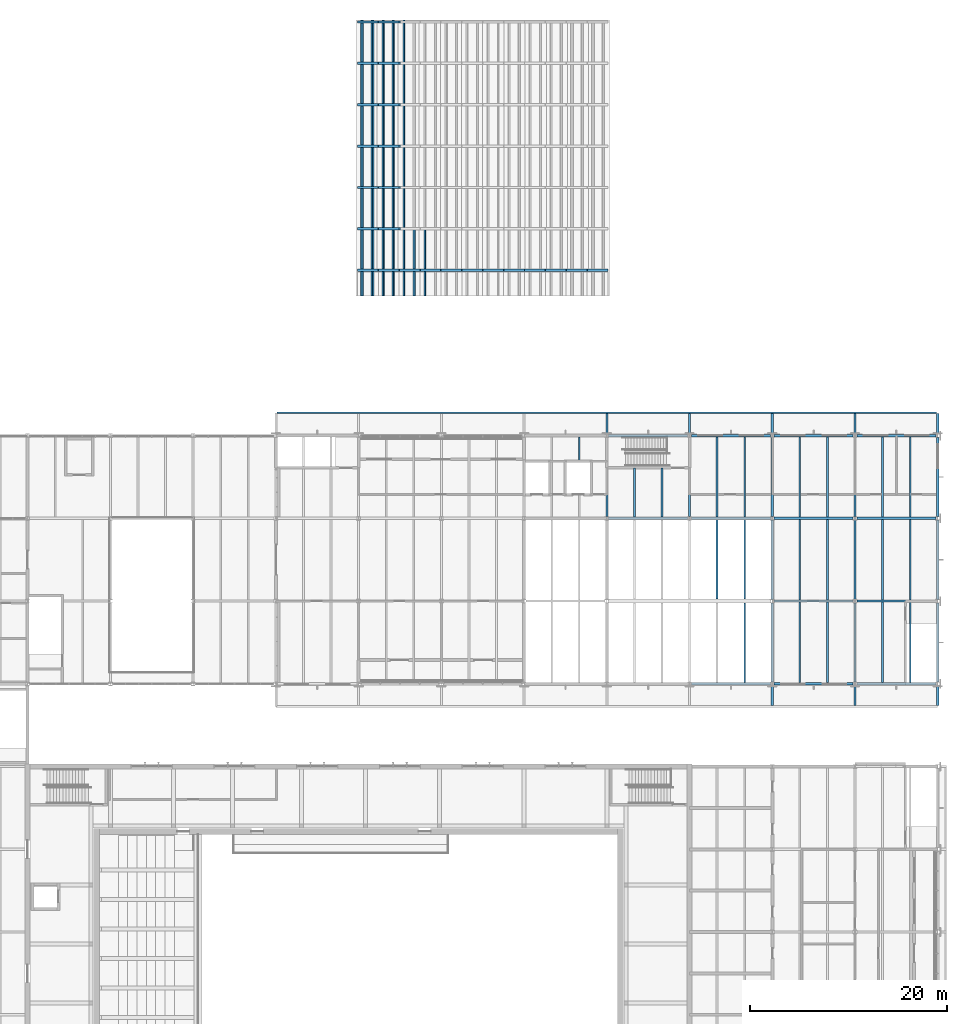
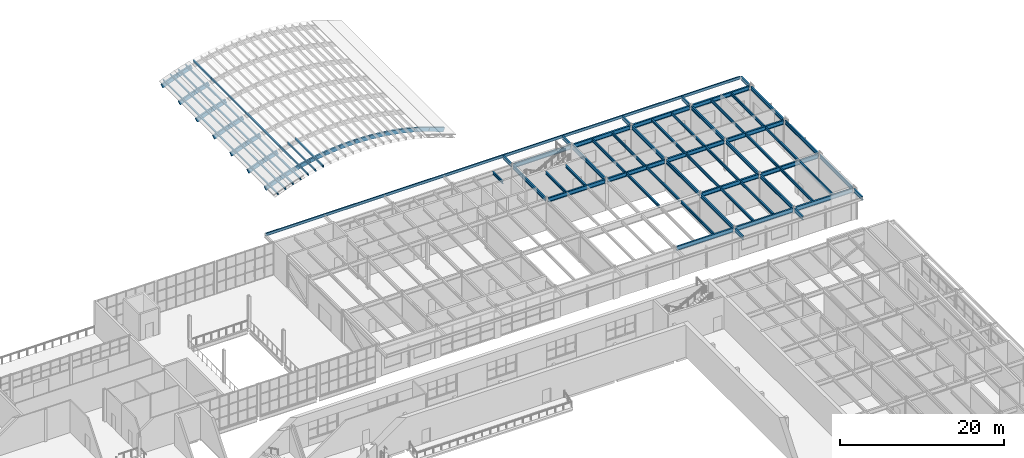
# One storey, part 53 of 116: 77 beams, 22 members.
"""IFC4 building model written with IfcOpenShell, lengths in metres."""

import ifcopenshell
import ifcopenshell.guid

model = None  # the IFC model being written
_history = None  # IfcOwnerHistory: only IFC2X3 demands one
_inside = {}  # id of a spatial element -> (the spatial element, [elements in it])
_under = {}  # id of a project, library or spatial element -> (it, [spatial elements below it])
_declared = {}  # id of a project -> (the project, [libraries it declares])
_typed = {}  # id of a type object -> (the type object, [elements of that type])
_made_of = {}  # id of a material, layer set ... -> (it, [elements and type objects made of it])


def new_model(schema):
    """Start an empty IFC model of exactly this schema.

    Asked for "IFC4X3", IfcOpenShell would pick the latest addendum, in which some entities
    have other attributes; the version numbers below select the first issue.
    IFC2X3 requires an IfcOwnerHistory on every rooted entity: one is made here for all.
    """
    global model, _history
    if schema == "IFC4X3":
        model = ifcopenshell.file(schema_version=(4, 3, 0, 0))
    else:
        model = ifcopenshell.file(schema=schema)
    _inside.clear()
    _under.clear()
    _declared.clear()
    _typed.clear()
    _made_of.clear()
    _history = None
    if model.schema == "IFC2X3":
        org = make("IfcOrganization", Name="unknown")
        user = make(
            "IfcPersonAndOrganization",
            ThePerson=make("IfcPerson", FamilyName="unknown"),
            TheOrganization=org,
        )
        app = make(
            "IfcApplication",
            ApplicationDeveloper=org,
            Version="unknown",
            ApplicationFullName="unknown",
            ApplicationIdentifier="unknown",
        )
        _history = make(
            "IfcOwnerHistory",
            OwningUser=user,
            OwningApplication=app,
            ChangeAction="ADDED",
            CreationDate=0,
        )
    return model


def make(cls, **values):
    """One entity of the class cls with the attributes given. An attribute that is None is left unset."""
    return model.create_entity(
        cls, **{name: value for name, value in values.items() if value is not None}
    )


def rooted(cls, **values):
    """An entity with a GlobalId (a new one), such as an element, a storey or a relation."""
    return make(cls, GlobalId=ifcopenshell.guid.new(), OwnerHistory=_history, **values)


def si_unit(unit_type, name, prefix=None):
    """IfcSIUnit, for example si_unit("LENGTHUNIT", "METRE", prefix="MILLI")."""
    return make("IfcSIUnit", UnitType=unit_type, Prefix=prefix, Name=name)


def assignment(units):
    """IfcUnitAssignment: the units of a project."""
    return None if units is None else make("IfcUnitAssignment", Units=units)


def point(xyz):
    """IfcCartesianPoint."""
    return None if xyz is None else make("IfcCartesianPoint", Coordinates=xyz)


def direction(xyz):
    """IfcDirection."""
    return None if xyz is None else make("IfcDirection", DirectionRatios=xyz)


def frame(location, z_axis=None, x_axis=None):
    """IfcAxis2Placement3D, a coordinate frame: its origin and axes. An axis left out is left unset."""
    return make(
        "IfcAxis2Placement3D",
        Location=point(location),
        Axis=direction(z_axis),
        RefDirection=direction(x_axis),
    )


def frame_2d(location, x_axis=None):
    """IfcAxis2Placement2D, a coordinate frame in the plane: its origin and x axis."""
    return make(
        "IfcAxis2Placement2D", Location=point(location), RefDirection=direction(x_axis)
    )


def origin():
    """The frame at (0, 0, 0) with its axes left unset."""
    return frame((0.0, 0.0, 0.0))


def origin_2d():
    """The frame at (0, 0) in the plane with its x axis left unset."""
    return frame_2d((0.0, 0.0))


def place(relative_to, where):
    """IfcLocalPlacement: puts the frame where relative to a parent placement (None: the world)."""
    return make(
        "IfcLocalPlacement", PlacementRelTo=relative_to, RelativePlacement=where
    )


def context(
    kind, dimensions, precision=None, world=None, true_north=None, identifier=None
):
    """IfcGeometricRepresentationContext, for example the 3D "Model" context."""
    return make(
        "IfcGeometricRepresentationContext",
        ContextIdentifier=identifier,
        ContextType=kind,
        CoordinateSpaceDimension=dimensions,
        Precision=precision,
        WorldCoordinateSystem=world,
        TrueNorth=true_north,
    )


def subcontext(parent, identifier, kind, view, scale=None):
    """IfcGeometricRepresentationSubContext, for example "Body" below "Model"."""
    return make(
        "IfcGeometricRepresentationSubContext",
        ContextIdentifier=identifier,
        ContextType=kind,
        ParentContext=parent,
        TargetScale=scale,
        TargetView=view,
    )


def project(units=None, contexts=None):
    """IfcProject with its units and contexts."""
    return rooted(
        "IfcProject",
        Name="project",
        RepresentationContexts=contexts,
        UnitsInContext=assignment(units),
    )


def spatial(cls, under=None, at=None, **own):
    """A site, building, storey or space (cls), placed at a placement, below another one or the project."""
    s = rooted(cls, ObjectPlacement=at, **own)
    if under is not None:
        _under.setdefault(under.id(), (under, []))[1].append(s)
    return s


def profile(cls, at=None, kind="AREA", **sizes):
    """A parametric profile (cls). Its sizes go by their IFC names, for example OverallWidth=200.0."""
    return make(cls, ProfileType=kind, Position=at, **sizes)


def rectangle(**sizes):
    """IfcRectangleProfileDef."""
    return profile("IfcRectangleProfileDef", **sizes)


def i_section(**sizes):
    """IfcIShapeProfileDef."""
    return profile("IfcIShapeProfileDef", **sizes)


def extrude(swept, where, along, depth):
    """IfcExtrudedAreaSolid: the profile swept, set in the frame where, extruded along a direction by depth."""
    return make(
        "IfcExtrudedAreaSolid",
        SweptArea=swept,
        Position=where,
        ExtrudedDirection=direction(along),
        Depth=depth,
    )


def shape(context_of_items, identifier, shape_type, items):
    """IfcShapeRepresentation: the items that make up one representation, for example the "Body"."""
    return make(
        "IfcShapeRepresentation",
        ContextOfItems=context_of_items,
        RepresentationIdentifier=identifier,
        RepresentationType=shape_type,
        Items=items,
    )


def material(Name=None, Category=None):
    """IfcMaterial."""
    return make("IfcMaterial", Name=Name, Category=Category)


def material_profile(
    of_material, cross_section, Name=None, Category=None, Priority=None
):
    """IfcMaterialProfile: a cross section and its material."""
    return make(
        "IfcMaterialProfile",
        Name=Name,
        Material=of_material,
        Profile=cross_section,
        Priority=Priority,
        Category=Category,
    )


def profile_set(profiles, Name=None, composite=None):
    """IfcMaterialProfileSet."""
    return make(
        "IfcMaterialProfileSet",
        Name=Name,
        MaterialProfiles=profiles,
        CompositeProfile=composite,
    )


def made_of(thing, what):
    """Note that an element or type object is made of a material, layer set ...; save() writes the relation."""
    if what is not None:
        _made_of.setdefault(what.id(), (what, []))[1].append(thing)
    return thing


def type_object(cls, material=None, **own):
    """A type object (cls), such as IfcWallType, which elements share."""
    return made_of(rooted(cls, **own), material)


def element(
    cls,
    number,
    at=None,
    inside=None,
    cuts=None,
    type_object=None,
    material=None,
    context=None,
    identifier="Body",
    shape_type=None,
    held_by="IfcProductDefinitionShape",
    body=None,
    shapes=None,
    **own,
):
    """One element of the class cls, such as IfcWall. Its Tag is "e" and its number.

    at: its placement. inside: the storey or other place that contains it. cuts: it is an
    opening in that element (IfcRelVoidsElement). A single representation is given by context,
    identifier, shape_type and body (its items); several are given by shapes. held_by: the class
    of the entity that holds the representations. save() writes the other relations.
    """
    e = rooted(cls, Tag="e%d" % number, ObjectPlacement=at, **own)
    if body is not None:
        shapes = [shape(context, identifier, shape_type, body)]
    if shapes is not None:
        e.Representation = make(held_by, Representations=shapes)
    if inside is not None:
        _inside.setdefault(inside.id(), (inside, []))[1].append(e)
    if cuts is not None:
        rooted(
            "IfcRelVoidsElement", RelatingBuildingElement=cuts, RelatedOpeningElement=e
        )
    if type_object is not None:
        _typed.setdefault(type_object.id(), (type_object, []))[1].append(e)
    return made_of(e, material)


def aggregate(whole, parts):
    """IfcRelAggregates: a whole, such as a stair, and the parts it consists of."""
    return rooted("IfcRelAggregates", RelatingObject=whole, RelatedObjects=parts)


def save(model, path):
    """Write the relations noted so far, then the file.

    IfcRelAggregates (storeys below a building ...), IfcRelContainedInSpatialStructure (elements
    in a storey), IfcRelDefinesByType, IfcRelAssociatesMaterial and IfcRelDeclares: one each for
    every whole, place, type object, material and project.
    """
    for whole, parts in _under.values():
        aggregate(whole, parts)
    for where, things in _inside.values():
        rooted(
            "IfcRelContainedInSpatialStructure",
            RelatedElements=things,
            RelatingStructure=where,
        )
    for kind, things in _typed.values():
        rooted("IfcRelDefinesByType", RelatedObjects=things, RelatingType=kind)
    for what, things in _made_of.values():
        rooted("IfcRelAssociatesMaterial", RelatedObjects=things, RelatingMaterial=what)
    for by, libraries in _declared.values():
        rooted("IfcRelDeclares", RelatingContext=by, RelatedDefinitions=libraries)
    model.write(path)


model = new_model("IFC4")

# Units and contexts
model_context = context("Model", 3, precision=1e-05, world=origin(), true_north=direction((0.0, 1.0)))
body_context = subcontext(model_context, "Body", "Model", "MODEL_VIEW")
ifc_project = project(units=[si_unit("LENGTHUNIT", "METRE"), si_unit("AREAUNIT", "SQUARE_METRE"), si_unit("VOLUMEUNIT", "CUBIC_METRE"), si_unit("PLANEANGLEUNIT", "RADIAN"), si_unit("MASSUNIT", "GRAM", prefix="KILO")], contexts=[model_context])

# Site, building, storey
site_placement = place(None, origin())
site = spatial("IfcSite", under=ifc_project, at=site_placement, CompositionType="ELEMENT")
building_placement = place(site_placement, origin())
building = spatial("IfcBuilding", under=site, at=building_placement, Name="Ljudholm Concert House", CompositionType="ELEMENT")
storey_placement = place(building_placement, frame((0.0, 0.0, 10.199951171875)))
storey = spatial("IfcBuildingStorey", under=building, at=storey_placement, Name="L02", CompositionType="ELEMENT", Elevation=10.199951171875)

# Members
ifc_material_1 = material(Name="Glulam 24F-1.8E", Category="wood")
ifc_material_profile_1 = material_profile(ifc_material_1, rectangle(XDim=0.159912109375, YDim=0.360107421875, at=origin_2d()), Name="GLULAM PURLIN 160x360")
ifc_profile_set_1 = profile_set([ifc_material_profile_1], Name="Glulam 24F-1.8E")
member_type = type_object("IfcMemberType", Name="GLULAM PURLIN 160x360", PredefinedType="PURLIN", material=ifc_profile_set_1)
member_1_placement = place(storey_placement, frame((63.152587890625, 144.199951171875, 0.260009765625), z_axis=(0.0, 1.0, 0.0), x_axis=(-0.933249434597, 0.0, -0.359229025587)))
element("IfcMember", 1, at=member_1_placement, inside=storey, type_object=member_type, Name="Glulam purlin", PredefinedType="PURLIN", context=body_context, shape_type="SweptSolid", body=[
    extrude(rectangle(XDim=0.159912109375, YDim=0.360107421875, at=origin_2d()), origin(), (0.0, 0.0, 1.0), 6.800048828125),
])
member_2_placement = place(storey_placement, frame((63.152587890625, 151.0, 0.260009765625), z_axis=(0.0, 1.0, 0.0), x_axis=(-0.933249434597, 0.0, -0.359229025587)))
element("IfcMember", 2, at=member_2_placement, inside=storey, type_object=member_type, Name="Glulam purlin", PredefinedType="PURLIN", context=body_context, shape_type="SweptSolid", body=[
    extrude(rectangle(XDim=0.159912109375, YDim=0.360107421875, at=origin_2d()), origin(), (0.0, 0.0, 1.0), 8.39990234375),
])
member_3_placement = place(storey_placement, frame((63.152587890625, 159.39990234375, 0.260009765625), z_axis=(0.0, 1.0, 0.0), x_axis=(-0.933249434597, 0.0, -0.359229025587)))
element("IfcMember", 3, at=member_3_placement, inside=storey, type_object=member_type, Name="Glulam purlin", PredefinedType="PURLIN", context=body_context, shape_type="SweptSolid", body=[
    extrude(rectangle(XDim=0.159912109375, YDim=0.360107421875, at=origin_2d()), origin(), (0.0, 0.0, 1.0), 8.400146484375),
])
member_4_placement = place(storey_placement, frame((63.152587890625, 167.800048828125, 0.260009765625), z_axis=(0.0, 1.0, 0.0), x_axis=(-0.933249434597, 0.0, -0.359229025587)))
element("IfcMember", 4, at=member_4_placement, inside=storey, type_object=member_type, Name="Glulam purlin", PredefinedType="PURLIN", context=body_context, shape_type="SweptSolid", body=[
    extrude(rectangle(XDim=0.159912109375, YDim=0.360107421875, at=origin_2d()), origin(), (0.0, 0.0, 1.0), 4.39990234375),
])
member_5_placement = place(storey_placement, frame((64.20263671875, 144.199951171875, 0.664306640625), z_axis=(0.0, 1.0, 0.0), x_axis=(-0.933249434597, 0.0, -0.359229025587)))
element("IfcMember", 5, at=member_5_placement, inside=storey, type_object=member_type, Name="Glulam purlin", PredefinedType="PURLIN", context=body_context, shape_type="SweptSolid", body=[
    extrude(rectangle(XDim=0.159912109375, YDim=0.360107421875, at=origin_2d()), origin(), (0.0, 0.0, 1.0), 6.800048828125),
])
member_6_placement = place(storey_placement, frame((64.20263671875, 151.0, 0.664306640625), z_axis=(0.0, 1.0, 0.0), x_axis=(-0.933249434597, 0.0, -0.359229025587)))
element("IfcMember", 6, at=member_6_placement, inside=storey, type_object=member_type, Name="Glulam purlin", PredefinedType="PURLIN", context=body_context, shape_type="SweptSolid", body=[
    extrude(rectangle(XDim=0.159912109375, YDim=0.360107421875, at=origin_2d()), origin(), (0.0, 0.0, 1.0), 8.39990234375),
])
member_7_placement = place(storey_placement, frame((64.20263671875, 159.39990234375, 0.664306640625), z_axis=(0.0, 1.0, 0.0), x_axis=(-0.933249434597, 0.0, -0.359229025587)))
element("IfcMember", 7, at=member_7_placement, inside=storey, type_object=member_type, Name="Glulam purlin", PredefinedType="PURLIN", context=body_context, shape_type="SweptSolid", body=[
    extrude(rectangle(XDim=0.159912109375, YDim=0.360107421875, at=origin_2d()), origin(), (0.0, 0.0, 1.0), 8.400146484375),
])
member_8_placement = place(storey_placement, frame((64.20263671875, 167.800048828125, 0.664306640625), z_axis=(0.0, 1.0, 0.0), x_axis=(-0.933249434597, 0.0, -0.359229025587)))
element("IfcMember", 8, at=member_8_placement, inside=storey, type_object=member_type, Name="Glulam purlin", PredefinedType="PURLIN", context=body_context, shape_type="SweptSolid", body=[
    extrude(rectangle(XDim=0.159912109375, YDim=0.360107421875, at=origin_2d()), origin(), (0.0, 0.0, 1.0), 4.39990234375),
])
member_9_placement = place(storey_placement, frame((65.283935546875, 144.199951171875, 1.03857421875), z_axis=(0.0, 1.0, 0.0), x_axis=(-0.955834250124, 0.0, -0.293906254255)))
element("IfcMember", 9, at=member_9_placement, inside=storey, type_object=member_type, Name="Glulam purlin", PredefinedType="PURLIN", context=body_context, shape_type="SweptSolid", body=[
    extrude(rectangle(XDim=0.159912109375, YDim=0.360107421875, at=origin_2d()), origin(), (0.0, 0.0, 1.0), 6.800048828125),
])
member_10_placement = place(storey_placement, frame((65.283935546875, 151.0, 1.03857421875), z_axis=(0.0, 1.0, 0.0), x_axis=(-0.955834250124, 0.0, -0.293906254255)))
element("IfcMember", 10, at=member_10_placement, inside=storey, type_object=member_type, Name="Glulam purlin", PredefinedType="PURLIN", context=body_context, shape_type="SweptSolid", body=[
    extrude(rectangle(XDim=0.159912109375, YDim=0.360107421875, at=origin_2d()), origin(), (0.0, 0.0, 1.0), 8.39990234375),
])
member_11_placement = place(storey_placement, frame((65.283935546875, 159.39990234375, 1.03857421875), z_axis=(0.0, 1.0, 0.0), x_axis=(-0.955834250124, 0.0, -0.293906254255)))
element("IfcMember", 11, at=member_11_placement, inside=storey, type_object=member_type, Name="Glulam purlin", PredefinedType="PURLIN", context=body_context, shape_type="SweptSolid", body=[
    extrude(rectangle(XDim=0.159912109375, YDim=0.360107421875, at=origin_2d()), origin(), (0.0, 0.0, 1.0), 8.400146484375),
])
member_12_placement = place(storey_placement, frame((65.283935546875, 167.800048828125, 1.03857421875), z_axis=(0.0, 1.0, 0.0), x_axis=(-0.955834250124, 0.0, -0.293906254255)))
element("IfcMember", 12, at=member_12_placement, inside=storey, type_object=member_type, Name="Glulam purlin", PredefinedType="PURLIN", context=body_context, shape_type="SweptSolid", body=[
    extrude(rectangle(XDim=0.159912109375, YDim=0.360107421875, at=origin_2d()), origin(), (0.0, 0.0, 1.0), 4.39990234375),
])
member_13_placement = place(storey_placement, frame((66.333984375, 144.199951171875, 1.361572265625), z_axis=(0.0, 1.0, 0.0), x_axis=(-0.955834250124, 0.0, -0.293906254255)))
element("IfcMember", 13, at=member_13_placement, inside=storey, type_object=member_type, Name="Glulam purlin", PredefinedType="PURLIN", context=body_context, shape_type="SweptSolid", body=[
    extrude(rectangle(XDim=0.159912109375, YDim=0.360107421875, at=origin_2d()), origin(), (0.0, 0.0, 1.0), 6.800048828125),
])
member_14_placement = place(storey_placement, frame((66.333984375, 151.0, 1.361572265625), z_axis=(0.0, 1.0, 0.0), x_axis=(-0.955834250124, 0.0, -0.293906254255)))
element("IfcMember", 14, at=member_14_placement, inside=storey, type_object=member_type, Name="Glulam purlin", PredefinedType="PURLIN", context=body_context, shape_type="SweptSolid", body=[
    extrude(rectangle(XDim=0.159912109375, YDim=0.360107421875, at=origin_2d()), origin(), (0.0, 0.0, 1.0), 8.39990234375),
])
member_15_placement = place(storey_placement, frame((66.333984375, 159.39990234375, 1.361572265625), z_axis=(0.0, 1.0, 0.0), x_axis=(-0.955834250124, 0.0, -0.293906254255)))
element("IfcMember", 15, at=member_15_placement, inside=storey, type_object=member_type, Name="Glulam purlin", PredefinedType="PURLIN", context=body_context, shape_type="SweptSolid", body=[
    extrude(rectangle(XDim=0.159912109375, YDim=0.360107421875, at=origin_2d()), origin(), (0.0, 0.0, 1.0), 8.400146484375),
])
member_16_placement = place(storey_placement, frame((66.333984375, 167.800048828125, 1.361572265625), z_axis=(0.0, 1.0, 0.0), x_axis=(-0.955834250124, 0.0, -0.293906254255)))
element("IfcMember", 16, at=member_16_placement, inside=storey, type_object=member_type, Name="Glulam purlin", PredefinedType="PURLIN", context=body_context, shape_type="SweptSolid", body=[
    extrude(rectangle(XDim=0.159912109375, YDim=0.360107421875, at=origin_2d()), origin(), (0.0, 0.0, 1.0), 4.39990234375),
])
member_17_placement = place(storey_placement, frame((67.415283203125, 144.199951171875, 1.654541015625), z_axis=(0.0, 1.0, 0.0), x_axis=(-0.973523031198, 0.0, -0.228588949267)))
element("IfcMember", 17, at=member_17_placement, inside=storey, type_object=member_type, Name="Glulam purlin", PredefinedType="PURLIN", context=body_context, shape_type="SweptSolid", body=[
    extrude(rectangle(XDim=0.159912109375, YDim=0.360107421875, at=origin_2d()), origin(), (0.0, 0.0, 1.0), 6.800048828125),
])
member_18_placement = place(storey_placement, frame((67.415283203125, 151.0, 1.654541015625), z_axis=(0.0, 1.0, 0.0), x_axis=(-0.973523031198, 0.0, -0.228588949267)))
element("IfcMember", 18, at=member_18_placement, inside=storey, type_object=member_type, Name="Glulam purlin", PredefinedType="PURLIN", context=body_context, shape_type="SweptSolid", body=[
    extrude(rectangle(XDim=0.159912109375, YDim=0.360107421875, at=origin_2d()), origin(), (0.0, 0.0, 1.0), 8.39990234375),
])
member_19_placement = place(storey_placement, frame((67.415283203125, 159.39990234375, 1.654541015625), z_axis=(0.0, 1.0, 0.0), x_axis=(-0.973523031198, 0.0, -0.228588949267)))
element("IfcMember", 19, at=member_19_placement, inside=storey, type_object=member_type, Name="Glulam purlin", PredefinedType="PURLIN", context=body_context, shape_type="SweptSolid", body=[
    extrude(rectangle(XDim=0.159912109375, YDim=0.360107421875, at=origin_2d()), origin(), (0.0, 0.0, 1.0), 8.400146484375),
])
member_20_placement = place(storey_placement, frame((67.415283203125, 167.800048828125, 1.654541015625), z_axis=(0.0, 1.0, 0.0), x_axis=(-0.973523031198, 0.0, -0.228588949267)))
element("IfcMember", 20, at=member_20_placement, inside=storey, type_object=member_type, Name="Glulam purlin", PredefinedType="PURLIN", context=body_context, shape_type="SweptSolid", body=[
    extrude(rectangle(XDim=0.159912109375, YDim=0.360107421875, at=origin_2d()), origin(), (0.0, 0.0, 1.0), 4.39990234375),
])
for number, where, z_axis, x_axis, name in (
    (21, (68.46533203125, 144.199951171875, 1.901123046875), (0.0, 1.0, 0.0), (-0.973523031198, 0.0, -0.228588949267), "Glulam purlin"),
    (22, (69.546630859375, 144.199951171875, 2.11767578125), (0.0, 1.0, 0.0), (-0.986580529884, 0.0, -0.163275405537), "Glulam purlin"),
):
    element("IfcMember", number, at=place(storey_placement, frame(where, z_axis=z_axis, x_axis=x_axis)), inside=storey, type_object=member_type, Name=name, PredefinedType="PURLIN", context=body_context, shape_type="SweptSolid", body=[
        extrude(rectangle(XDim=0.159912109375, YDim=0.360107421875, at=origin_2d()), origin(), (0.0, 0.0, 1.0), 6.800048828125),
    ])

# Beams
ifc_material_2 = material(Name="Glulam 24F-1.8E", Category="wood")
ifc_material_profile_2 = material_profile(ifc_material_2, rectangle(XDim=0.239990234375, YDim=0.60009765625, at=origin_2d()), Name="GLULAM RIB 240x600")
ifc_profile_set_2 = profile_set([ifc_material_profile_2], Name="Glulam 24F-1.8E")
beam_type_1 = type_object("IfcBeamType", Name="GLULAM RIB 240x600", PredefinedType="BEAM", material=ifc_profile_set_2)
beam_1_placement = place(storey_placement, frame((62.800048828125, 146.800048828125, -0.389892578125), z_axis=(0.933264055401, 0.0, 0.359191039555), x_axis=(0.0, 1.0, 0.0)))
element("IfcBeam", 23, at=beam_1_placement, inside=storey, type_object=beam_type_1, Name="Glulam rib 1", PredefinedType="BEAM", context=body_context, shape_type="SweptSolid", body=[
    extrude(rectangle(XDim=0.239990234375, YDim=0.60009765625, at=origin_2d()), origin(), (0.0, 0.0, 1.0), 2.23828125),
])
beam_2_placement = place(storey_placement, frame((64.911376953125, 146.800048828125, 0.421875), z_axis=(0.955837288256, 0.0, 0.29389637354), x_axis=(0.0, 1.0, 0.0)))
element("IfcBeam", 24, at=beam_2_placement, inside=storey, type_object=beam_type_1, Name="Glulam rib 1", PredefinedType="BEAM", context=body_context, shape_type="SweptSolid", body=[
    extrude(rectangle(XDim=0.239990234375, YDim=0.60009765625, at=origin_2d()), origin(), (0.0, 0.0, 1.0), 2.173095703125),
])
beam_3_placement = place(storey_placement, frame((67.01171875, 146.800048828125, 1.06689453125), z_axis=(0.973529626595, 0.0, 0.228560858725), x_axis=(0.0, 1.0, 0.0)))
element("IfcBeam", 25, at=beam_3_placement, inside=storey, type_object=beam_type_1, Name="Glulam rib 1", PredefinedType="BEAM", context=body_context, shape_type="SweptSolid", body=[
    extrude(rectangle(XDim=0.239990234375, YDim=0.60009765625, at=origin_2d()), origin(), (0.0, 0.0, 1.0), 2.133056640625),
])
beam_4_placement = place(storey_placement, frame((69.11181640625, 146.800048828125, 1.55908203125), z_axis=(0.98657204235, 0.0, 0.163326682614), x_axis=(0.0, 1.0, 0.0)))
element("IfcBeam", 26, at=beam_4_placement, inside=storey, type_object=beam_type_1, Name="Glulam rib 1", PredefinedType="BEAM", context=body_context, shape_type="SweptSolid", body=[
    extrude(rectangle(XDim=0.239990234375, YDim=0.60009765625, at=origin_2d()), origin(), (0.0, 0.0, 1.0), 2.104736328125),
])
beam_5_placement = place(storey_placement, frame((71.2119140625, 146.800048828125, 1.906005859375), z_axis=(0.995191241426, 0.0, 0.097950972375), x_axis=(0.0, 1.0, 0.0)))
element("IfcBeam", 27, at=beam_5_placement, inside=storey, type_object=beam_type_1, Name="Glulam rib 1", PredefinedType="BEAM", context=body_context, shape_type="SweptSolid", body=[
    extrude(rectangle(XDim=0.239990234375, YDim=0.60009765625, at=origin_2d()), origin(), (0.0, 0.0, 1.0), 2.086181640625),
])
for number, where, z_axis, x_axis, name in (
    (28, (73.31201171875, 146.800048828125, 2.11181640625), (0.999465968052, 0.0, 0.032676883349), (0.0, 1.0, 0.0), "Glulam rib 1"),
    (29, (75.412109375, 146.800048828125, 2.1796875), (0.999465968052, 0.0, -0.032676883349), (0.0, 1.0, 0.0), "Glulam rib 1"),
):
    element("IfcBeam", number, at=place(storey_placement, frame(where, z_axis=z_axis, x_axis=x_axis)), inside=storey, type_object=beam_type_1, Name=name, PredefinedType="BEAM", context=body_context, shape_type="SweptSolid", body=[
        extrude(rectangle(XDim=0.239990234375, YDim=0.60009765625, at=origin_2d()), origin(), (0.0, 0.0, 1.0), 2.0771484375),
    ])
beam_6_placement = place(storey_placement, frame((77.511962890625, 146.800048828125, 2.1103515625), z_axis=(0.995191241426, 0.0, -0.097950972375), x_axis=(0.0, 1.0, 0.0)))
element("IfcBeam", 30, at=beam_6_placement, inside=storey, type_object=beam_type_1, Name="Glulam rib 1", PredefinedType="BEAM", context=body_context, shape_type="SweptSolid", body=[
    extrude(rectangle(XDim=0.239990234375, YDim=0.60009765625, at=origin_2d()), origin(), (0.0, 0.0, 1.0), 2.086181640625),
])
beam_7_placement = place(storey_placement, frame((79.61181640625, 146.800048828125, 1.90283203125), z_axis=(0.98657204235, 0.0, -0.163326682614), x_axis=(0.0, 1.0, 0.0)))
element("IfcBeam", 31, at=beam_7_placement, inside=storey, type_object=beam_type_1, Name="Glulam rib 1", PredefinedType="BEAM", context=body_context, shape_type="SweptSolid", body=[
    extrude(rectangle(XDim=0.239990234375, YDim=0.60009765625, at=origin_2d()), origin(), (0.0, 0.0, 1.0), 2.104736328125),
])
beam_8_placement = place(storey_placement, frame((81.711669921875, 146.800048828125, 1.554443359375), z_axis=(0.973529626595, 0.0, -0.228560858725), x_axis=(0.0, 1.0, 0.0)))
element("IfcBeam", 32, at=beam_8_placement, inside=storey, type_object=beam_type_1, Name="Glulam rib 1", PredefinedType="BEAM", context=body_context, shape_type="SweptSolid", body=[
    extrude(rectangle(XDim=0.239990234375, YDim=0.60009765625, at=origin_2d()), origin(), (0.0, 0.0, 1.0), 2.133056640625),
])
beam_9_placement = place(storey_placement, frame((83.8115234375, 146.800048828125, 1.060546875), z_axis=(0.955827582823, 0.0, -0.293927936601), x_axis=(0.0, 1.0, 0.0)))
element("IfcBeam", 33, at=beam_9_placement, inside=storey, type_object=beam_type_1, Name="Glulam rib 1", PredefinedType="BEAM", context=body_context, shape_type="SweptSolid", body=[
    extrude(rectangle(XDim=0.239990234375, YDim=0.60009765625, at=origin_2d()), origin(), (0.0, 0.0, 1.0), 2.1728515625),
])
for number, where, z_axis, x_axis, name in (
    (34, (85.9111328125, 146.800048828125, 0.4140625), (0.933264055401, 0.0, -0.359191039555), (0.0, 1.0, 0.0), "Glulam rib 1"),
    (35, (62.800048828125, 151.0, -0.389892578125), (0.933264055401, 0.0, 0.359191039555), (0.0, 1.0, 0.0), "Glulam rib 2"),
):
    element("IfcBeam", number, at=place(storey_placement, frame(where, z_axis=z_axis, x_axis=x_axis)), inside=storey, type_object=beam_type_1, Name=name, PredefinedType="BEAM", context=body_context, shape_type="SweptSolid", body=[
        extrude(rectangle(XDim=0.239990234375, YDim=0.60009765625, at=origin_2d()), origin(), (0.0, 0.0, 1.0), 2.23828125),
    ])
beam_10_placement = place(storey_placement, frame((64.911376953125, 151.0, 0.421875), z_axis=(0.955837288256, 0.0, 0.29389637354), x_axis=(0.0, 1.0, 0.0)))
element("IfcBeam", 36, at=beam_10_placement, inside=storey, type_object=beam_type_1, Name="Glulam rib 2", PredefinedType="BEAM", context=body_context, shape_type="SweptSolid", body=[
    extrude(rectangle(XDim=0.239990234375, YDim=0.60009765625, at=origin_2d()), origin(), (0.0, 0.0, 1.0), 2.173095703125),
])
beam_11_placement = place(storey_placement, frame((62.800048828125, 155.199951171875, -0.389892578125), z_axis=(0.933264055401, 0.0, 0.359191039555), x_axis=(0.0, 1.0, 0.0)))
element("IfcBeam", 37, at=beam_11_placement, inside=storey, type_object=beam_type_1, Name="Glulam rib 3", PredefinedType="BEAM", context=body_context, shape_type="SweptSolid", body=[
    extrude(rectangle(XDim=0.239990234375, YDim=0.60009765625, at=origin_2d()), origin(), (0.0, 0.0, 1.0), 2.23828125),
])
beam_12_placement = place(storey_placement, frame((64.911376953125, 155.199951171875, 0.421875), z_axis=(0.955837288256, 0.0, 0.29389637354), x_axis=(0.0, 1.0, 0.0)))
element("IfcBeam", 38, at=beam_12_placement, inside=storey, type_object=beam_type_1, Name="Glulam rib 3", PredefinedType="BEAM", context=body_context, shape_type="SweptSolid", body=[
    extrude(rectangle(XDim=0.239990234375, YDim=0.60009765625, at=origin_2d()), origin(), (0.0, 0.0, 1.0), 2.173095703125),
])
beam_13_placement = place(storey_placement, frame((62.800048828125, 159.39990234375, -0.389892578125), z_axis=(0.933264055401, 0.0, 0.359191039555), x_axis=(0.0, 1.0, 0.0)))
element("IfcBeam", 39, at=beam_13_placement, inside=storey, type_object=beam_type_1, Name="Glulam rib 4", PredefinedType="BEAM", context=body_context, shape_type="SweptSolid", body=[
    extrude(rectangle(XDim=0.239990234375, YDim=0.60009765625, at=origin_2d()), origin(), (0.0, 0.0, 1.0), 2.23828125),
])
beam_14_placement = place(storey_placement, frame((64.911376953125, 159.39990234375, 0.421875), z_axis=(0.955837288256, 0.0, 0.29389637354), x_axis=(0.0, 1.0, 0.0)))
element("IfcBeam", 40, at=beam_14_placement, inside=storey, type_object=beam_type_1, Name="Glulam rib 4", PredefinedType="BEAM", context=body_context, shape_type="SweptSolid", body=[
    extrude(rectangle(XDim=0.239990234375, YDim=0.60009765625, at=origin_2d()), origin(), (0.0, 0.0, 1.0), 2.173095703125),
])
beam_15_placement = place(storey_placement, frame((62.800048828125, 163.60009765625, -0.389892578125), z_axis=(0.933264055401, 0.0, 0.359191039555), x_axis=(0.0, 1.0, 0.0)))
element("IfcBeam", 41, at=beam_15_placement, inside=storey, type_object=beam_type_1, Name="Glulam rib 5", PredefinedType="BEAM", context=body_context, shape_type="SweptSolid", body=[
    extrude(rectangle(XDim=0.239990234375, YDim=0.60009765625, at=origin_2d()), origin(), (0.0, 0.0, 1.0), 2.23828125),
])
beam_16_placement = place(storey_placement, frame((64.911376953125, 163.60009765625, 0.421875), z_axis=(0.955837288256, 0.0, 0.29389637354), x_axis=(0.0, 1.0, 0.0)))
element("IfcBeam", 42, at=beam_16_placement, inside=storey, type_object=beam_type_1, Name="Glulam rib 5", PredefinedType="BEAM", context=body_context, shape_type="SweptSolid", body=[
    extrude(rectangle(XDim=0.239990234375, YDim=0.60009765625, at=origin_2d()), origin(), (0.0, 0.0, 1.0), 2.173095703125),
])
beam_17_placement = place(storey_placement, frame((62.800048828125, 167.800048828125, -0.389892578125), z_axis=(0.933264055401, 0.0, 0.359191039555), x_axis=(0.0, 1.0, 0.0)))
element("IfcBeam", 43, at=beam_17_placement, inside=storey, type_object=beam_type_1, Name="Glulam rib 6", PredefinedType="BEAM", context=body_context, shape_type="SweptSolid", body=[
    extrude(rectangle(XDim=0.239990234375, YDim=0.60009765625, at=origin_2d()), origin(), (0.0, 0.0, 1.0), 2.23828125),
])
beam_18_placement = place(storey_placement, frame((64.911376953125, 167.800048828125, 0.421875), z_axis=(0.955837288256, 0.0, 0.29389637354), x_axis=(0.0, 1.0, 0.0)))
element("IfcBeam", 44, at=beam_18_placement, inside=storey, type_object=beam_type_1, Name="Glulam rib 6", PredefinedType="BEAM", context=body_context, shape_type="SweptSolid", body=[
    extrude(rectangle(XDim=0.239990234375, YDim=0.60009765625, at=origin_2d()), origin(), (0.0, 0.0, 1.0), 2.173095703125),
])
beam_19_placement = place(storey_placement, frame((62.800048828125, 172.0, -0.389892578125), z_axis=(0.933264055401, 0.0, 0.359191039555), x_axis=(0.0, 1.0, 0.0)))
element("IfcBeam", 45, at=beam_19_placement, inside=storey, type_object=beam_type_1, Name="Glulam rib 7", PredefinedType="BEAM", context=body_context, shape_type="SweptSolid", body=[
    extrude(rectangle(XDim=0.239990234375, YDim=0.60009765625, at=origin_2d()), origin(), (0.0, 0.0, 1.0), 2.23828125),
])
beam_20_placement = place(storey_placement, frame((64.911376953125, 172.0, 0.421875), z_axis=(0.955837288256, 0.0, 0.29389637354), x_axis=(0.0, 1.0, 0.0)))
element("IfcBeam", 46, at=beam_20_placement, inside=storey, type_object=beam_type_1, Name="Glulam rib 7", PredefinedType="BEAM", context=body_context, shape_type="SweptSolid", body=[
    extrude(rectangle(XDim=0.239990234375, YDim=0.60009765625, at=origin_2d()), origin(), (0.0, 0.0, 1.0), 2.173095703125),
])
ifc_material_3 = material(Name="Steel ASTM A992", Category="steel")
ifc_material_profile_3 = material_profile(ifc_material_3, i_section(OverallWidth=0.177734375, OverallDepth=0.406494140625, WebThickness=0.0078125, FlangeThickness=0.012939453125, FilletRadius=0.01025390625, at=origin_2d()), Name="W16X40")
ifc_profile_set_3 = profile_set([ifc_material_profile_3], Name="Steel ASTM A992")
beam_type_2 = type_object("IfcBeamType", Name="STEEL BEAM W16X40", PredefinedType="BEAM", material=ifc_profile_set_3)
beam_21_placement = place(storey_placement, frame((85.199951171875, 127.39990234375, 4.416748046875), z_axis=(0.0, 1.0, 0.0), x_axis=(-1.0, 0.0, 0.0)))
element("IfcBeam", 47, at=beam_21_placement, inside=storey, type_object=beam_type_2, Name="Beam STUDIO-ROOF-sb-85.2-121.6-2", PredefinedType="BEAM", context=body_context, shape_type="SweptSolid", body=[
    extrude(i_section(OverallWidth=0.177734375, OverallDepth=0.406494140625, WebThickness=0.0078125, FlangeThickness=0.012939453125, FilletRadius=0.01025390625, at=origin_2d()), origin(), (0.0, 0.0, 1.0), 2.485595703125),
])
for number, where, z_axis, x_axis, name in (
    (48, (90.800048828125, 121.714599609375, 4.416748046875), (0.0, 1.0, 0.0), (-1.0, 0.0, 0.0), "Beam STUDIO-ROOF-sb-90.8-121.6-1"),
    (49, (93.60009765625, 121.714599609375, 4.416748046875), (0.0, 1.0, 0.0), (-1.0, 0.0, 0.0), "Beam STUDIO-ROOF-sb-93.6-121.6-1"),
):
    element("IfcBeam", number, at=place(storey_placement, frame(where, z_axis=z_axis, x_axis=x_axis)), inside=storey, type_object=beam_type_2, Name=name, PredefinedType="BEAM", context=body_context, shape_type="SweptSolid", body=[
        extrude(i_section(OverallWidth=0.177734375, OverallDepth=0.406494140625, WebThickness=0.0078125, FlangeThickness=0.012939453125, FilletRadius=0.01025390625, at=origin_2d()), origin(), (0.0, 0.0, 1.0), 5.010498046875),
    ])
for number, where, z_axis, x_axis, name in (
    (50, (102.0, 104.91455078125, 4.416748046875), (0.0, 1.0, 0.0), (-1.0, 0.0, 0.0), "Beam STUDIO-ROOF-sb-102-104.8"),
    (51, (99.199951171875, 113.40185546875, 4.416748046875), (0.0, 1.0, 0.0), (-1.0, 0.0, 0.0), "Beam STUDIO-ROOF-sb-99.2-113.2"),
    (52, (102.0, 113.40185546875, 4.416748046875), (0.0, 1.0, 0.0), (-1.0, 0.0, 0.0), "Beam STUDIO-ROOF-sb-102-113.2"),
):
    element("IfcBeam", number, at=place(storey_placement, frame(where, z_axis=z_axis, x_axis=x_axis)), inside=storey, type_object=beam_type_2, Name=name, PredefinedType="BEAM", context=body_context, shape_type="SweptSolid", body=[
        extrude(i_section(OverallWidth=0.177734375, OverallDepth=0.406494140625, WebThickness=0.0078125, FlangeThickness=0.012939453125, FilletRadius=0.01025390625, at=origin_2d()), origin(), (0.0, 0.0, 1.0), 8.08349609375),
    ])
for number, where, z_axis, x_axis, name in (
    (53, (99.199951171875, 121.714599609375, 4.416748046875), (0.0, 1.0, 0.0), (-1.0, 0.0, 0.0), "Beam STUDIO-ROOF-sb-99.2-121.6"),
    (54, (102.0, 121.714599609375, 4.416748046875), (0.0, 1.0, 0.0), (-1.0, 0.0, 0.0), "Beam STUDIO-ROOF-sb-102-121.6"),
    (55, (107.60009765625, 104.91455078125, 4.416748046875), (0.0, 1.0, 0.0), (-1.0, 0.0, 0.0), "Beam STUDIO-ROOF-sb-107.6-104.8"),
    (56, (110.39990234375, 104.91455078125, 4.416748046875), (0.0, 1.0, 0.0), (-1.0, 0.0, 0.0), "Beam STUDIO-ROOF-sb-110.4-104.8"),
    (57, (107.60009765625, 113.314453125, 4.416748046875), (0.0, 1.0, 0.0), (-1.0, 0.0, 0.0), "Beam STUDIO-ROOF-sb-107.6-113.2"),
    (58, (110.39990234375, 113.314453125, 4.416748046875), (0.0, 1.0, 0.0), (-1.0, 0.0, 0.0), "Beam STUDIO-ROOF-sb-110.4-113.2"),
    (59, (107.60009765625, 121.714599609375, 4.416748046875), (0.0, 1.0, 0.0), (-1.0, 0.0, 0.0), "Beam STUDIO-ROOF-sb-107.6-121.6"),
    (60, (110.39990234375, 121.714599609375, 4.416748046875), (0.0, 1.0, 0.0), (-1.0, 0.0, 0.0), "Beam STUDIO-ROOF-sb-110.4-121.6"),
    (61, (116.0, 104.91455078125, 4.416748046875), (0.0, 1.0, 0.0), (-1.0, 0.0, 0.0), "Beam STUDIO-ROOF-sb-116-104.8"),
    (62, (118.800048828125, 104.91455078125, 4.416748046875), (0.0, 1.0, 0.0), (-1.0, 0.0, 0.0), "Beam STUDIO-ROOF-sb-118.8-104.8"),
    (63, (116.0, 113.314453125, 4.416748046875), (0.0, 1.0, 0.0), (-1.0, 0.0, 0.0), "Beam STUDIO-ROOF-sb-116-113.2"),
    (64, (118.800048828125, 113.314453125, 4.416748046875), (0.0, 1.0, 0.0), (-1.0, 0.0, 0.0), "Beam STUDIO-ROOF-sb-118.8-113.2"),
    (65, (116.0, 121.714599609375, 4.416748046875), (0.0, 1.0, 0.0), (-1.0, 0.0, 0.0), "Beam STUDIO-ROOF-sb-116-121.6"),
    (66, (118.800048828125, 121.714599609375, 4.416748046875), (0.0, 1.0, 0.0), (-1.0, 0.0, 0.0), "Beam STUDIO-ROOF-sb-118.8-121.6"),
):
    element("IfcBeam", number, at=place(storey_placement, frame(where, z_axis=z_axis, x_axis=x_axis)), inside=storey, type_object=beam_type_2, Name=name, PredefinedType="BEAM", context=body_context, shape_type="SweptSolid", body=[
        extrude(i_section(OverallWidth=0.177734375, OverallDepth=0.406494140625, WebThickness=0.0078125, FlangeThickness=0.012939453125, FilletRadius=0.01025390625, at=origin_2d()), origin(), (0.0, 0.0, 1.0), 8.1708984375),
    ])
beam_22_placement = place(storey_placement, frame((54.504638671875, 132.31103515625, 4.416748046875), z_axis=(1.0, 0.0, 0.0), x_axis=(0.0, 1.0, 0.0)))
element("IfcBeam", 67, at=beam_22_placement, inside=storey, type_object=beam_type_2, Name="Beam STUDIO-ROOF-eave-edge-N", PredefinedType="BEAM", context=body_context, shape_type="SweptSolid", body=[
    extrude(i_section(OverallWidth=0.177734375, OverallDepth=0.406494140625, WebThickness=0.0078125, FlangeThickness=0.012939453125, FilletRadius=0.01025390625, at=origin_2d()), origin(), (0.0, 0.0, 1.0), 66.99072265625),
])
ifc_material_4 = material(Name="Steel ASTM A992", Category="steel")
ifc_material_profile_4 = material_profile(ifc_material_4, i_section(OverallWidth=0.209228515625, OverallDepth=0.533447265625, WebThickness=0.01025390625, FlangeThickness=0.015625, FilletRadius=0.012939453125, at=origin_2d()), Name="W21X62")
ifc_profile_set_4 = profile_set([ifc_material_profile_4], Name="Steel ASTM A992")
beam_type_3 = type_object("IfcBeamType", Name="STEEL BEAM W21X62", PredefinedType="BEAM", material=ifc_profile_set_4)
for number, where, z_axis, x_axis, name in (
    (68, (88.0, 121.77783203125, 4.353271484375), (0.0, 1.0, 0.0), (-1.0, 0.0, 0.0), "Beam STUDIO-ROOF-gy-88-121.6"),
    (69, (96.39990234375, 121.77783203125, 4.353271484375), (0.0, 1.0, 0.0), (-1.0, 0.0, 0.0), "Beam STUDIO-ROOF-gy-96.4-121.6"),
    (70, (104.800048828125, 104.977783203125, 4.353271484375), (0.0, 1.0, 0.0), (-1.0, 0.0, 0.0), "Beam STUDIO-ROOF-gy-104.8-104.8"),
    (71, (104.800048828125, 113.377685546875, 4.353271484375), (0.0, 1.0, 0.0), (-1.0, 0.0, 0.0), "Beam STUDIO-ROOF-gy-104.8-113.2"),
    (72, (104.800048828125, 121.77783203125, 4.353271484375), (0.0, 1.0, 0.0), (-1.0, 0.0, 0.0), "Beam STUDIO-ROOF-gy-104.8-121.6"),
    (73, (113.199951171875, 104.977783203125, 4.353271484375), (0.0, 1.0, 0.0), (-1.0, 0.0, 0.0), "Beam STUDIO-ROOF-gy-113.2-104.8"),
    (74, (113.199951171875, 113.377685546875, 4.353271484375), (0.0, 1.0, 0.0), (-1.0, 0.0, 0.0), "Beam STUDIO-ROOF-gy-113.2-113.2"),
    (75, (113.199951171875, 121.77783203125, 4.353271484375), (0.0, 1.0, 0.0), (-1.0, 0.0, 0.0), "Beam STUDIO-ROOF-gy-113.2-121.6"),
    (76, (121.60009765625, 104.977783203125, 4.353271484375), (0.0, 1.0, 0.0), (-1.0, 0.0, 0.0), "Beam STUDIO-ROOF-gy-121.6-104.8"),
    (77, (121.60009765625, 113.377685546875, 4.353271484375), (0.0, 1.0, 0.0), (-1.0, 0.0, 0.0), "Beam STUDIO-ROOF-gy-121.6-113.2"),
    (78, (121.60009765625, 121.77783203125, 4.353271484375), (0.0, 1.0, 0.0), (-1.0, 0.0, 0.0), "Beam STUDIO-ROOF-gy-121.6-121.6"),
):
    element("IfcBeam", number, at=place(storey_placement, frame(where, z_axis=z_axis, x_axis=x_axis)), inside=storey, type_object=beam_type_3, Name=name, PredefinedType="BEAM", context=body_context, shape_type="SweptSolid", body=[
        extrude(i_section(OverallWidth=0.209228515625, OverallDepth=0.533447265625, WebThickness=0.01025390625, FlangeThickness=0.015625, FilletRadius=0.012939453125, at=origin_2d()), origin(), (0.0, 0.0, 1.0), 8.04443359375),
    ])
for number, where, z_axis, x_axis, name in (
    (79, (104.800048828125, 104.622314453125, 4.353271484375), (0.0, -1.0, 0.0), (1.0, 0.0, 0.0), "Beam STUDIO-ROOF-eave-gS-104.8"),
    (80, (113.199951171875, 104.622314453125, 4.353271484375), (0.0, -1.0, 0.0), (1.0, 0.0, 0.0), "Beam STUDIO-ROOF-eave-gS-113.2"),
    (81, (121.60009765625, 104.622314453125, 4.353271484375), (0.0, -1.0, 0.0), (1.0, 0.0, 0.0), "Beam STUDIO-ROOF-eave-gS-121.6"),
    (82, (88.0, 130.177734375, 4.353271484375), (0.0, 1.0, 0.0), (-1.0, 0.0, 0.0), "Beam STUDIO-ROOF-eave-gN-88"),
    (83, (96.39990234375, 130.177734375, 4.353271484375), (0.0, 1.0, 0.0), (-1.0, 0.0, 0.0), "Beam STUDIO-ROOF-eave-gN-96.4"),
    (84, (104.800048828125, 130.177734375, 4.353271484375), (0.0, 1.0, 0.0), (-1.0, 0.0, 0.0), "Beam STUDIO-ROOF-eave-gN-104.8"),
    (85, (113.199951171875, 130.177734375, 4.353271484375), (0.0, 1.0, 0.0), (-1.0, 0.0, 0.0), "Beam STUDIO-ROOF-eave-gN-113.2"),
    (86, (121.60009765625, 130.177734375, 4.353271484375), (0.0, 1.0, 0.0), (-1.0, 0.0, 0.0), "Beam STUDIO-ROOF-eave-gN-121.6"),
):
    element("IfcBeam", number, at=place(storey_placement, frame(where, z_axis=z_axis, x_axis=x_axis)), inside=storey, type_object=beam_type_3, Name=name, PredefinedType="BEAM", context=body_context, shape_type="SweptSolid", body=[
        extrude(i_section(OverallWidth=0.209228515625, OverallDepth=0.533447265625, WebThickness=0.01025390625, FlangeThickness=0.015625, FilletRadius=0.012939453125, at=origin_2d()), origin(), (0.0, 0.0, 1.0), 2.04443359375),
    ])
ifc_material_5 = material(Name="Steel ASTM A992", Category="steel")
ifc_material_profile_5 = material_profile(ifc_material_5, i_section(OverallWidth=0.22900390625, OverallDepth=0.612060546875, WebThickness=0.011962890625, FlangeThickness=0.01953125, FilletRadius=0.0126953125, at=origin_2d()), Name="W24X84")
ifc_profile_set_5 = profile_set([ifc_material_profile_5], Name="Steel ASTM A992")
beam_type_4 = type_object("IfcBeamType", Name="STEEL BEAM W24X84", PredefinedType="BEAM", material=ifc_profile_set_5)
for number, where, z_axis, x_axis, name in (
    (87, (96.584228515625, 104.800048828125, 4.31396484375), (1.0, 0.0, 0.0), (0.0, 1.0, 0.0), "Beam STUDIO-ROOF-gx-96.4-104.8"),
    (88, (104.984130859375, 104.800048828125, 4.31396484375), (1.0, 0.0, 0.0), (0.0, 1.0, 0.0), "Beam STUDIO-ROOF-gx-104.8-104.8"),
    (89, (113.384033203125, 104.800048828125, 4.31396484375), (1.0, 0.0, 0.0), (0.0, 1.0, 0.0), "Beam STUDIO-ROOF-gx-113.2-104.8"),
    (90, (104.984130859375, 113.199951171875, 4.31396484375), (1.0, 0.0, 0.0), (0.0, 1.0, 0.0), "Beam STUDIO-ROOF-gx-104.8-113.2"),
    (91, (113.384033203125, 113.199951171875, 4.31396484375), (1.0, 0.0, 0.0), (0.0, 1.0, 0.0), "Beam STUDIO-ROOF-gx-113.2-113.2"),
    (92, (88.18408203125, 121.60009765625, 4.31396484375), (1.0, 0.0, 0.0), (0.0, 1.0, 0.0), "Beam STUDIO-ROOF-gx-88-121.6"),
    (93, (96.584228515625, 121.60009765625, 4.31396484375), (1.0, 0.0, 0.0), (0.0, 1.0, 0.0), "Beam STUDIO-ROOF-gx-96.4-121.6"),
    (94, (104.984130859375, 121.60009765625, 4.31396484375), (1.0, 0.0, 0.0), (0.0, 1.0, 0.0), "Beam STUDIO-ROOF-gx-104.8-121.6"),
    (95, (113.384033203125, 121.60009765625, 4.31396484375), (1.0, 0.0, 0.0), (0.0, 1.0, 0.0), "Beam STUDIO-ROOF-gx-113.2-121.6"),
    (96, (88.18408203125, 130.0, 4.31396484375), (1.0, 0.0, 0.0), (0.0, 1.0, 0.0), "Beam STUDIO-ROOF-gx-88-130"),
    (97, (96.584228515625, 130.0, 4.31396484375), (1.0, 0.0, 0.0), (0.0, 1.0, 0.0), "Beam STUDIO-ROOF-gx-96.4-130"),
    (98, (104.984130859375, 130.0, 4.31396484375), (1.0, 0.0, 0.0), (0.0, 1.0, 0.0), "Beam STUDIO-ROOF-gx-104.8-130"),
    (99, (113.384033203125, 130.0, 4.31396484375), (1.0, 0.0, 0.0), (0.0, 1.0, 0.0), "Beam STUDIO-ROOF-gx-113.2-130"),
):
    element("IfcBeam", number, at=place(storey_placement, frame(where, z_axis=z_axis, x_axis=x_axis)), inside=storey, type_object=beam_type_4, Name=name, PredefinedType="BEAM", context=body_context, shape_type="SweptSolid", body=[
        extrude(i_section(OverallWidth=0.22900390625, OverallDepth=0.612060546875, WebThickness=0.011962890625, FlangeThickness=0.01953125, FilletRadius=0.0126953125, at=origin_2d()), origin(), (0.0, 0.0, 1.0), 8.03173828125),
    ])

save(model, "model.ifc")
